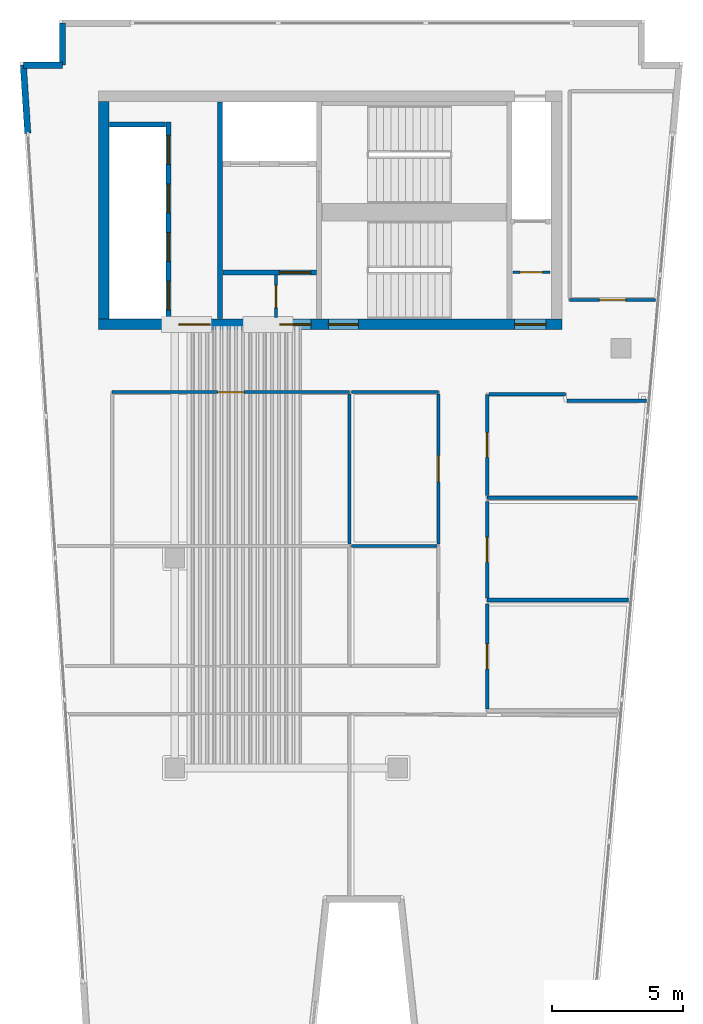
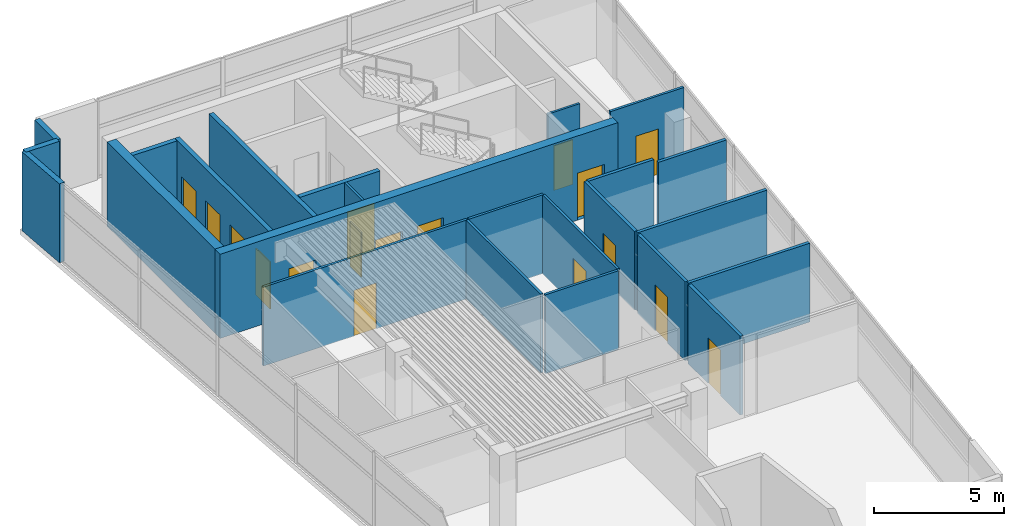
# One storey, part 4 of 7: 24 walls, 17 doors, 17 openings.
"""IFC4 building model written with IfcOpenShell, lengths in metres."""

from ifc_helpers import new_model, si_unit, direction, frame, frame_2d, origin, place, context, subcontext, project, spatial, rectangle, extrude, material, layer, layer_set, type_object, element, fill, save


model = new_model("IFC4")

# Units and contexts
model_context = context("Model", 3, precision=1e-05, world=origin(), true_north=direction((0.0, 1.0)))
body_context = subcontext(model_context, "Body", "Model", "MODEL_VIEW")
ifc_project = project(units=[si_unit("LENGTHUNIT", "METRE"), si_unit("AREAUNIT", "SQUARE_METRE"), si_unit("VOLUMEUNIT", "CUBIC_METRE"), si_unit("PLANEANGLEUNIT", "RADIAN"), si_unit("MASSUNIT", "GRAM", prefix="KILO")], contexts=[model_context])

# Site, building, storey
site_placement = place(None, origin())
site = spatial("IfcSite", under=ifc_project, at=site_placement, CompositionType="ELEMENT")
building_placement = place(site_placement, origin())
building = spatial("IfcBuilding", under=site, at=building_placement, Name="Caeloran Harvest Quay", CompositionType="ELEMENT")
storey_placement = place(building_placement, frame((0.0, 0.0, 315.949951171875)))
storey = spatial("IfcBuildingStorey", under=building, at=storey_placement, Name="L76", CompositionType="ELEMENT", Elevation=315.949951171875)

# Walls
ifc_material_1 = material(Name="Precast concrete C50/60", Category="concrete")
ifc_layer_1 = layer(ifc_material_1, 0.239990234375, Name="Precast concrete C50/60")
ifc_layer_set_1 = layer_set([ifc_layer_1], Name="Precast concrete C50/60")
wall_type_1 = type_object("IfcWallType", Name="ENV-WALL-EW-240", PredefinedType="STANDARD", material=ifc_layer_set_1)
wall_1_placement = place(storey_placement, frame((2.902099609375, 39.185546875, 0.0), z_axis=(0.0, 0.0, 1.0), x_axis=(-0.065166541347, 0.997874401861, 0.0)))
element("IfcWall", 1, at=wall_1_placement, inside=storey, type_object=wall_type_1, Name="L76 Exterior Facade Corner Pier Wall 3B", PredefinedType="STANDARD", context=body_context, shape_type="SweptSolid", body=[
    extrude(rectangle(XDim=2.60009765625, YDim=0.239990234375, at=frame_2d((1.300048828125, 0.0))), origin(), (0.0, 0.0, 1.0), 3.699951171875),
])
wall_2_placement = place(storey_placement, frame((2.732666015625, 41.780029296875, 0.0), z_axis=(0.0, 0.0, 1.0), x_axis=(1.0, 0.0, 0.0)))
element("IfcWall", 2, at=wall_2_placement, inside=storey, type_object=wall_type_1, Name="L76 Exterior Precast Concrete Facade Wall 4", PredefinedType="STANDARD", context=body_context, shape_type="SweptSolid", body=[
    extrude(rectangle(XDim=1.4873046875, YDim=0.239990234375, at=frame_2d((0.74365234375, 0.0))), origin(), (0.0, 0.0, 1.0), 3.699951171875),
])
wall_3_placement = place(storey_placement, frame((4.219970703125, 41.780029296875, 0.0), z_axis=(0.0, 0.0, 1.0), x_axis=(0.0, 1.0, 0.0)))
element("IfcWall", 3, at=wall_3_placement, inside=storey, type_object=wall_type_1, Name="L76 Exterior Precast Concrete Facade Wall 5", PredefinedType="STANDARD", context=body_context, shape_type="SweptSolid", body=[
    extrude(rectangle(XDim=1.599853515625, YDim=0.239990234375, at=frame_2d((0.7998046875, 0.0))), origin(), (0.0, 0.0, 1.0), 3.699951171875),
])

# Wall, opening, door
ifc_material_2 = material(Name="Fire-Resisting Gypsum Core Riser Partition", Category="gypsum")
ifc_layer_2 = layer(ifc_material_2, 0.10009765625, Name="Fire-Resisting Gypsum Core Riser Partition")
ifc_layer_set_2 = layer_set([ifc_layer_2], Name="Fire-Resisting Gypsum Core Riser Partition")
wall_type_2 = type_object("IfcWallType", Name="INT-WALL-PW-100", PredefinedType="PARTITIONING", material=ifc_layer_set_2)
wall_4_placement = place(storey_placement, frame((12.360107421875, 32.159912109375, 0.0), z_axis=(0.0, 0.0, 1.0), x_axis=(0.0, 1.0, 0.0)))
wall_4 = element("IfcWall", 4, at=wall_4_placement, inside=storey, type_object=wall_type_2, Name="L76 Core Store Partition Wall", PredefinedType="PARTITIONING", context=body_context, shape_type="SweptSolid", body=[
    extrude(rectangle(XDim=1.6201171875, YDim=0.10009765625, at=frame_2d((0.81005859375, 0.0))), origin(), (0.0, 0.0, 1.0), 3.699951171875),
])
opening_1_placement = place(wall_4_placement, frame((0.3798828125, 0.0, 0.0)))
opening_1 = element("IfcOpeningElement", 5, at=opening_1_placement, cuts=wall_4, Name="Opening SV-01", PredefinedType="OPENING", context=body_context, shape_type="SweptSolid", body=[
    extrude(rectangle(XDim=0.85009765625, YDim=2.10009765625, at=frame_2d((0.425048828125, 1.050048828125))), frame((0.0, 0.06005859375, 0.0), z_axis=(0.0, -1.0, 0.0), x_axis=(1.0, 0.0, 0.0)), (0.0, 0.0, 1.0), 0.1201171875),
])
ifc_material_3 = material(Name="Galvanized Painted Steel", Category="steel")
door_type_1 = type_object("IfcDoorType", Name="INTDOOR-SV-01", OperationType="NOTDEFINED", PredefinedType="DOOR", material=ifc_material_3)
door_1_placement = place(opening_1_placement, origin())
door_1 = element("IfcDoor", 6, at=door_1_placement, inside=storey, type_object=door_type_1, Name="L76 Core Service Room Access Door", OperationType="SINGLE_SWING_LEFT", OverallHeight=2.10009765625, OverallWidth=0.85009765625, PredefinedType="DOOR", context=body_context, shape_type="SweptSolid", body=[
    extrude(rectangle(XDim=0.85009765625, YDim=2.10009765625, at=frame_2d((0.425048828125, 1.050048828125))), frame((0.0, 0.02490234375, 0.0), z_axis=(0.0, -1.0, 0.0), x_axis=(1.0, 0.0, 0.0)), (0.0, 0.0, 1.0), 0.050048828125),
])
fill(opening_1, door_1)

wall_5_placement = place(storey_placement, frame((21.3798828125, 33.889892578125, 0.0), z_axis=(0.0, 0.0, 1.0), x_axis=(1.0, 0.0, 0.0)))
wall_5 = element("IfcWall", 7, at=wall_5_placement, inside=storey, type_object=wall_type_2, Name="L76 Cleaner Store Partition Wall", PredefinedType="PARTITIONING", context=body_context, shape_type="SweptSolid", body=[
    extrude(rectangle(XDim=1.420166015625, YDim=0.10009765625, at=frame_2d((0.7099609375, 0.0))), origin(), (0.0, 0.0, 1.0), 3.699951171875),
])
opening_2_placement = place(wall_5_placement, frame((0.280029296875, 0.0, 0.0)))
opening_2 = element("IfcOpeningElement", 8, at=opening_2_placement, cuts=wall_5, Name="Opening SV-01", PredefinedType="OPENING", context=body_context, shape_type="SweptSolid", body=[
    extrude(rectangle(XDim=0.85009765625, YDim=2.10009765625, at=frame_2d((0.425048828125, 1.050048828125))), frame((0.0, 0.06005859375, 0.0), z_axis=(0.0, -1.0, 0.0), x_axis=(1.0, 0.0, 0.0)), (0.0, 0.0, 1.0), 0.1201171875),
])
door_2_placement = place(opening_2_placement, origin())
door_2 = element("IfcDoor", 9, at=door_2_placement, inside=storey, type_object=door_type_1, Name="L76 Cleaner Supply Store Access Door", OperationType="SINGLE_SWING_RIGHT", OverallHeight=2.10009765625, OverallWidth=0.85009765625, PredefinedType="DOOR", context=body_context, shape_type="SweptSolid", body=[
    extrude(rectangle(XDim=0.85009765625, YDim=2.10009765625, at=frame_2d((0.425048828125, 1.050048828125))), frame((0.0, 0.02490234375, 0.0), z_axis=(0.0, -1.0, 0.0), x_axis=(1.0, 0.0, 0.0)), (0.0, 0.0, 1.0), 0.050048828125),
])
fill(opening_2, door_2)

ifc_material_4 = material(Name="Single-Stud Acoustic Gypsum Office Partition", Category="gypsum")
ifc_layer_3 = layer(ifc_material_4, 0.112060546875, Name="Single-Stud Acoustic Gypsum Office Partition")
ifc_layer_set_3 = layer_set([ifc_layer_3], Name="Single-Stud Acoustic Gypsum Office Partition")
wall_type_3 = type_object("IfcWallType", Name="INT-WALL-PW-112", PredefinedType="PARTITIONING", material=ifc_layer_set_3)
wall_6_placement = place(storey_placement, frame((26.812744140625, 32.840087890625, 0.0), z_axis=(0.0, 0.0, 1.0), x_axis=(-1.0, 0.0, 0.0)))
wall_6 = element("IfcWall", 10, at=wall_6_placement, inside=storey, type_object=wall_type_3, Name="L76 Bioinformatics and Crop Phenotyping Laboratory Partition Wall", PredefinedType="PARTITIONING", context=body_context, shape_type="SweptSolid", body=[
    extrude(rectangle(XDim=3.272705078125, YDim=0.112060546875, at=frame_2d((1.63623046875, 0.0))), origin(), (0.0, 0.0, 1.0), 3.699951171875),
])
opening_3_placement = place(wall_6_placement, frame((1.136474609375, 0.0, 0.0)))
opening_3 = element("IfcOpeningElement", 11, at=opening_3_placement, cuts=wall_6, Name="Opening ID-01", PredefinedType="OPENING", context=body_context, shape_type="SweptSolid", body=[
    extrude(rectangle(XDim=1.0, YDim=2.14990234375, at=frame_2d((0.5, 1.074951171875))), frame((0.0, 0.06591796875, 0.0), z_axis=(0.0, -1.0, 0.0), x_axis=(1.0, 0.0, 0.0)), (0.0, 0.0, 1.0), 0.132080078125),
])
ifc_material_5 = material(Name="FSC Solid-Core Ash Timber and Acoustic Seal", Category="wood")
door_type_2 = type_object("IfcDoorType", Name="INTDOOR-ID-01", OperationType="NOTDEFINED", PredefinedType="DOOR", material=ifc_material_5)
door_3_placement = place(opening_3_placement, origin())
door_3 = element("IfcDoor", 12, at=door_3_placement, inside=storey, type_object=door_type_2, Name="L76 Bioinformatics and Crop Phenotyping Laboratory Access Door", OperationType="SINGLE_SWING_RIGHT", OverallHeight=2.14990234375, OverallWidth=1.0, PredefinedType="DOOR", context=body_context, shape_type="SweptSolid", body=[
    extrude(rectangle(XDim=1.0, YDim=2.14990234375, at=frame_2d((0.5, 1.074951171875))), frame((0.0, 0.02490234375, 0.0), z_axis=(0.0, -1.0, 0.0), x_axis=(1.0, 0.0, 0.0)), (0.0, 0.0, 1.0), 0.050048828125),
])
fill(opening_3, door_3)

# Wall
wall_7_placement = place(storey_placement, frame((15.239990234375, 23.4599609375, 0.0), z_axis=(0.0, 0.0, 1.0), x_axis=(1.0, 0.0, 0.0)))
element("IfcWall", 13, at=wall_7_placement, inside=storey, type_object=wall_type_3, Name="Pinnacle Tasting Salon Lounge Partition Wall", PredefinedType="PARTITIONING", context=body_context, shape_type="SweptSolid", body=[
    extrude(rectangle(XDim=3.2490234375, YDim=0.112060546875, at=frame_2d((1.62451171875, 0.0))), origin(), (0.0, 0.0, 1.0), 3.699951171875),
])

# Wall, opening, door
wall_8_placement = place(storey_placement, frame((6.110107421875, 29.320068359375, 0.0), z_axis=(0.0, 0.0, 1.0), x_axis=(1.0, 0.0, 0.0)))
wall_8 = element("IfcWall", 14, at=wall_8_placement, inside=storey, type_object=wall_type_3, Name="Artisanal Tea Kitchen Partition Wall", PredefinedType="PARTITIONING", context=body_context, shape_type="SweptSolid", body=[
    extrude(rectangle(XDim=9.0498046875, YDim=0.112060546875, at=frame_2d((4.52490234375, 0.0))), origin(), (0.0, 0.0, 1.0), 3.699951171875),
])
opening_4_placement = place(wall_8_placement, frame((4.02490234375, 0.0, 0.0)))
opening_4 = element("IfcOpeningElement", 15, at=opening_4_placement, cuts=wall_8, Name="Opening ID-01", PredefinedType="OPENING", context=body_context, shape_type="SweptSolid", body=[
    extrude(rectangle(XDim=1.0, YDim=2.14990234375, at=frame_2d((0.5, 1.074951171875))), frame((0.0, 0.06591796875, 0.0), z_axis=(0.0, -1.0, 0.0), x_axis=(1.0, 0.0, 0.0)), (0.0, 0.0, 1.0), 0.132080078125),
])
door_4_placement = place(opening_4_placement, origin())
door_4 = element("IfcDoor", 16, at=door_4_placement, inside=storey, type_object=door_type_2, Name="Artisanal Tea Kitchen Access Door", OperationType="SINGLE_SWING_RIGHT", OverallHeight=2.14990234375, OverallWidth=1.0, PredefinedType="DOOR", context=body_context, shape_type="SweptSolid", body=[
    extrude(rectangle(XDim=1.0, YDim=2.14990234375, at=frame_2d((0.5, 1.074951171875))), frame((0.0, 0.02490234375, 0.0), z_axis=(0.0, -1.0, 0.0), x_axis=(1.0, 0.0, 0.0)), (0.0, 0.0, 1.0), 0.050048828125),
])
fill(opening_4, door_4)

# Walls
wall_9_placement = place(storey_placement, frame((15.159912109375, 29.259033203125, 0.0), z_axis=(0.0, 0.0, 1.0), x_axis=(0.0, -1.0, 0.0)))
element("IfcWall", 17, at=wall_9_placement, inside=storey, type_object=wall_type_3, Name="Artisanal Tea Kitchen Partition Wall", PredefinedType="PARTITIONING", context=body_context, shape_type="SweptSolid", body=[
    extrude(rectangle(XDim=5.718994140625, YDim=0.112060546875, at=frame_2d((2.859375, 0.0))), origin(), (0.0, 0.0, 1.0), 3.699951171875),
])
wall_10_placement = place(storey_placement, frame((15.239990234375, 29.320068359375, 0.0), z_axis=(0.0, 0.0, 1.0), x_axis=(1.0, 0.0, 0.0)))
element("IfcWall", 18, at=wall_10_placement, inside=storey, type_object=wall_type_3, Name="Curator Archive Laboratory Partition Wall", PredefinedType="PARTITIONING", context=body_context, shape_type="SweptSolid", body=[
    extrude(rectangle(XDim=3.31005859375, YDim=0.112060546875, at=frame_2d((1.655029296875, 0.0))), origin(), (0.0, 0.0, 1.0), 3.699951171875),
])

# Wall, opening, door
wall_11_placement = place(storey_placement, frame((18.550048828125, 29.259033203125, 0.0), z_axis=(0.0, 0.0, 1.0), x_axis=(0.0, -1.0, 0.0)))
wall_11 = element("IfcWall", 19, at=wall_11_placement, inside=storey, type_object=wall_type_3, Name="Curator Archive Laboratory Partition Wall", PredefinedType="PARTITIONING", context=body_context, shape_type="SweptSolid", body=[
    extrude(rectangle(XDim=5.718994140625, YDim=0.112060546875, at=frame_2d((2.859375, 0.0))), origin(), (0.0, 0.0, 1.0), 3.699951171875),
])
opening_5_placement = place(wall_11_placement, frame((2.359619140625, 0.0, 0.0)))
opening_5 = element("IfcOpeningElement", 20, at=opening_5_placement, cuts=wall_11, Name="Opening ID-01", PredefinedType="OPENING", context=body_context, shape_type="SweptSolid", body=[
    extrude(rectangle(XDim=1.0, YDim=2.14990234375, at=frame_2d((0.5, 1.074951171875))), frame((0.0, 0.06591796875, 0.0), z_axis=(0.0, -1.0, 0.0), x_axis=(1.0, 0.0, 0.0)), (0.0, 0.0, 1.0), 0.132080078125),
])
door_5_placement = place(opening_5_placement, origin())
door_5 = element("IfcDoor", 21, at=door_5_placement, inside=storey, type_object=door_type_2, Name="Curator Archive Laboratory Access Door", OperationType="SINGLE_SWING_LEFT", OverallHeight=2.14990234375, OverallWidth=1.0, PredefinedType="DOOR", context=body_context, shape_type="SweptSolid", body=[
    extrude(rectangle(XDim=1.0, YDim=2.14990234375, at=frame_2d((0.5, 1.074951171875))), frame((0.0, 0.02490234375, 0.0), z_axis=(0.0, -1.0, 0.0), x_axis=(1.0, 0.0, 0.0)), (0.0, 0.0, 1.0), 0.050048828125),
])
fill(opening_5, door_5)

# Walls
ifc_material_6 = material(Name="Moisture-Resistant Cement-Board Sanitary Partition", Category="gypsum")
ifc_layer_4 = layer(ifc_material_6, 0.139892578125, Name="Moisture-Resistant Cement-Board Sanitary Partition")
ifc_layer_set_4 = layer_set([ifc_layer_4], Name="Moisture-Resistant Cement-Board Sanitary Partition")
wall_type_4 = type_object("IfcWallType", Name="INT-WALL-PW-140", PredefinedType="PARTITIONING", material=ifc_layer_set_4)
wall_12_placement = place(storey_placement, frame((23.449951171875, 28.989990234375, 0.0), z_axis=(0.0, 0.0, 1.0), x_axis=(1.0, 0.0, 0.0)))
element("IfcWall", 22, at=wall_12_placement, inside=storey, type_object=wall_type_4, Name="L76 Male Washroom WC Partition Wall", PredefinedType="PARTITIONING", context=body_context, shape_type="SweptSolid", body=[
    extrude(rectangle(XDim=3.015625, YDim=0.139892578125, at=frame_2d((1.5078125, 0.0))), origin(), (0.0, 0.0, 1.0), 3.699951171875),
])
wall_13_placement = place(storey_placement, frame((26.1328125, 25.300048828125, 0.0), z_axis=(0.0, 0.0, 1.0), x_axis=(-1.0, 0.0, 0.0)))
element("IfcWall", 23, at=wall_13_placement, inside=storey, type_object=wall_type_4, Name="L76 Male Washroom WC Partition Wall", PredefinedType="PARTITIONING", context=body_context, shape_type="SweptSolid", body=[
    extrude(rectangle(XDim=5.73291015625, YDim=0.139892578125, at=frame_2d((2.866455078125, 0.0))), origin(), (0.0, 0.0, 1.0), 3.699951171875),
])

# Wall, opening, door
wall_14_placement = place(storey_placement, frame((20.39990234375, 25.375, 0.0), z_axis=(0.0, 0.0, 1.0), x_axis=(0.0, 1.0, 0.0)))
wall_14 = element("IfcWall", 24, at=wall_14_placement, inside=storey, type_object=wall_type_4, Name="L76 Male Washroom WC Partition Wall", PredefinedType="PARTITIONING", context=body_context, shape_type="SweptSolid", body=[
    extrude(rectangle(XDim=3.864990234375, YDim=0.139892578125, at=frame_2d((1.9326171875, 0.0))), origin(), (0.0, 0.0, 1.0), 3.699951171875),
])
opening_6_placement = place(wall_14_placement, frame((1.45751953125, 0.0, 0.0)))
opening_6 = element("IfcOpeningElement", 25, at=opening_6_placement, cuts=wall_14, Name="Opening WC-01", PredefinedType="OPENING", context=body_context, shape_type="SweptSolid", body=[
    extrude(rectangle(XDim=0.949951171875, YDim=2.14990234375, at=frame_2d((0.47509765625, 1.074951171875))), frame((0.0, 0.080078125, 0.0), z_axis=(0.0, -1.0, 0.0), x_axis=(1.0, 0.0, 0.0)), (0.0, 0.0, 1.0), 0.159912109375),
])
ifc_material_7 = material(Name="High-Pressure Laminate Moisture-Resistant Timber", Category="wood")
door_type_3 = type_object("IfcDoorType", Name="INTDOOR-WC-01", OperationType="NOTDEFINED", PredefinedType="DOOR", material=ifc_material_7)
door_6_placement = place(opening_6_placement, origin())
door_6 = element("IfcDoor", 26, at=door_6_placement, inside=storey, type_object=door_type_3, Name="L76 Male Washroom WC Access Door", OperationType="SINGLE_SWING_LEFT", OverallHeight=2.14990234375, OverallWidth=0.949951171875, PredefinedType="DOOR", context=body_context, shape_type="SweptSolid", body=[
    extrude(rectangle(XDim=0.949951171875, YDim=2.14990234375, at=frame_2d((0.47509765625, 1.074951171875))), frame((0.0, 0.02490234375, 0.0), z_axis=(0.0, -1.0, 0.0), x_axis=(1.0, 0.0, 0.0)), (0.0, 0.0, 1.0), 0.050048828125),
])
fill(opening_6, door_6)

# Walls
wall_15_placement = place(storey_placement, frame((20.47509765625, 29.239990234375, 0.0), z_axis=(0.0, 0.0, 1.0), x_axis=(1.0, 0.0, 0.0)))
element("IfcWall", 27, at=wall_15_placement, inside=storey, type_object=wall_type_4, Name="L76 Male Washroom WC Partition Wall", PredefinedType="PARTITIONING", context=body_context, shape_type="SweptSolid", body=[
    extrude(rectangle(XDim=2.914794921875, YDim=0.139892578125, at=frame_2d((1.45751953125, 0.0))), origin(), (0.0, 0.0, 1.0), 3.699951171875),
])
wall_16_placement = place(storey_placement, frame((25.781005859375, 21.39990234375, 0.0), z_axis=(0.0, 0.0, 1.0), x_axis=(-1.0, 0.0, 0.0)))
element("IfcWall", 28, at=wall_16_placement, inside=storey, type_object=wall_type_4, Name="L76 Female Washroom WC Partition Wall", PredefinedType="PARTITIONING", context=body_context, shape_type="SweptSolid", body=[
    extrude(rectangle(XDim=5.381103515625, YDim=0.139892578125, at=frame_2d((2.6904296875, 0.0))), origin(), (0.0, 0.0, 1.0), 3.699951171875),
])

# Wall, opening, door
wall_17_placement = place(storey_placement, frame((20.39990234375, 21.47509765625, 0.0), z_axis=(0.0, 0.0, 1.0), x_axis=(0.0, 1.0, 0.0)))
wall_17 = element("IfcWall", 29, at=wall_17_placement, inside=storey, type_object=wall_type_4, Name="L76 Female Washroom WC Partition Wall", PredefinedType="PARTITIONING", context=body_context, shape_type="SweptSolid", body=[
    extrude(rectangle(XDim=3.6748046875, YDim=0.139892578125, at=frame_2d((1.83740234375, 0.0))), origin(), (0.0, 0.0, 1.0), 3.699951171875),
])
opening_7_placement = place(wall_17_placement, frame((1.362548828125, 0.0, 0.0)))
opening_7 = element("IfcOpeningElement", 30, at=opening_7_placement, cuts=wall_17, Name="Opening WC-01", PredefinedType="OPENING", context=body_context, shape_type="SweptSolid", body=[
    extrude(rectangle(XDim=0.949951171875, YDim=2.14990234375, at=frame_2d((0.47509765625, 1.074951171875))), frame((0.0, 0.080078125, 0.0), z_axis=(0.0, -1.0, 0.0), x_axis=(1.0, 0.0, 0.0)), (0.0, 0.0, 1.0), 0.159912109375),
])
door_7_placement = place(opening_7_placement, origin())
door_7 = element("IfcDoor", 31, at=door_7_placement, inside=storey, type_object=door_type_3, Name="L76 Female Washroom WC Access Door", OperationType="SINGLE_SWING_RIGHT", OverallHeight=2.14990234375, OverallWidth=0.949951171875, PredefinedType="DOOR", context=body_context, shape_type="SweptSolid", body=[
    extrude(rectangle(XDim=0.949951171875, YDim=2.14990234375, at=frame_2d((0.47509765625, 1.074951171875))), frame((0.0, 0.02490234375, 0.0), z_axis=(0.0, -1.0, 0.0), x_axis=(1.0, 0.0, 0.0)), (0.0, 0.0, 1.0), 0.050048828125),
])
fill(opening_7, door_7)

wall_18_placement = place(storey_placement, frame((20.39990234375, 17.2548828125, 0.0), z_axis=(0.0, 0.0, 1.0), x_axis=(0.0, 1.0, 0.0)))
wall_18 = element("IfcWall", 32, at=wall_18_placement, inside=storey, type_object=wall_type_4, Name="L76 Accessible Unisex Washroom WC Partition Wall", PredefinedType="PARTITIONING", context=body_context, shape_type="SweptSolid", body=[
    extrude(rectangle(XDim=3.9951171875, YDim=0.139892578125, at=frame_2d((1.99755859375, 0.0))), origin(), (0.0, 0.0, 1.0), 3.699951171875),
])
opening_8_placement = place(wall_18_placement, frame((1.5224609375, 0.0, 0.0)))
opening_8 = element("IfcOpeningElement", 33, at=opening_8_placement, cuts=wall_18, Name="Opening WC-01", PredefinedType="OPENING", context=body_context, shape_type="SweptSolid", body=[
    extrude(rectangle(XDim=0.949951171875, YDim=2.14990234375, at=frame_2d((0.47509765625, 1.074951171875))), frame((0.0, 0.080078125, 0.0), z_axis=(0.0, -1.0, 0.0), x_axis=(1.0, 0.0, 0.0)), (0.0, 0.0, 1.0), 0.159912109375),
])
door_8_placement = place(opening_8_placement, origin())
door_8 = element("IfcDoor", 34, at=door_8_placement, inside=storey, type_object=door_type_3, Name="L76 Accessible Unisex Washroom WC Access Door", OperationType="SINGLE_SWING_LEFT", OverallHeight=2.14990234375, OverallWidth=0.949951171875, PredefinedType="DOOR", context=body_context, shape_type="SweptSolid", body=[
    extrude(rectangle(XDim=0.949951171875, YDim=2.14990234375, at=frame_2d((0.47509765625, 1.074951171875))), frame((0.0, 0.02490234375, 0.0), z_axis=(0.0, -1.0, 0.0), x_axis=(1.0, 0.0, 0.0)), (0.0, 0.0, 1.0), 0.050048828125),
])
fill(opening_8, door_8)

# Wall, openings, doors
ifc_material_8 = material(Name="Concrete C50/60", Category="concrete")
ifc_layer_5 = layer(ifc_material_8, 0.199951171875, Name="Concrete C50/60")
ifc_layer_set_5 = layer_set([ifc_layer_5], Name="Concrete C50/60")
wall_type_5 = type_object("IfcWallType", Name="INT-WALL-SW-200", PredefinedType="PARTITIONING", material=ifc_layer_set_5)
wall_19_placement = place(storey_placement, frame((8.260009765625, 32.1201171875, 0.0), z_axis=(0.0, 0.0, 1.0), x_axis=(0.0, 1.0, 0.0)))
wall_19 = element("IfcWall", 35, at=wall_19_placement, inside=storey, type_object=wall_type_5, Name="L76 Bank 3 Lift Shaft Wall", PredefinedType="PARTITIONING", context=body_context, shape_type="SweptSolid", body=[
    extrude(rectangle(XDim=7.5, YDim=0.199951171875, at=frame_2d((3.75, 0.0))), origin(), (0.0, 0.0, 1.0), 3.699951171875),
])
opening_9_placement = place(wall_19_placement, frame((0.330078125, 0.0, 0.0)))
opening_9 = element("IfcOpeningElement", 36, at=opening_9_placement, cuts=wall_19, Name="Opening LD-01", PredefinedType="OPENING", context=body_context, shape_type="SweptSolid", body=[
    extrude(rectangle(XDim=1.10009765625, YDim=2.199951171875, at=frame_2d((0.550048828125, 1.10009765625))), frame((0.0, 0.10986328125, 0.0), z_axis=(0.0, -1.0, 0.0), x_axis=(1.0, 0.0, 0.0)), (0.0, 0.0, 1.0), 0.219970703125),
])
opening_10_placement = place(wall_19_placement, frame((2.179931640625, 0.0, 0.0)))
opening_10 = element("IfcOpeningElement", 37, at=opening_10_placement, cuts=wall_19, Name="Opening LD-01", PredefinedType="OPENING", context=body_context, shape_type="SweptSolid", body=[
    extrude(rectangle(XDim=1.10009765625, YDim=2.199951171875, at=frame_2d((0.550048828125, 1.10009765625))), frame((0.0, 0.10986328125, 0.0), z_axis=(0.0, -1.0, 0.0), x_axis=(1.0, 0.0, 0.0)), (0.0, 0.0, 1.0), 0.219970703125),
])
opening_11_placement = place(wall_19_placement, frame((4.030029296875, 0.0, 0.0)))
opening_11 = element("IfcOpeningElement", 38, at=opening_11_placement, cuts=wall_19, Name="Opening LD-01", PredefinedType="OPENING", context=body_context, shape_type="SweptSolid", body=[
    extrude(rectangle(XDim=1.10009765625, YDim=2.199951171875, at=frame_2d((0.550048828125, 1.10009765625))), frame((0.0, 0.10986328125, 0.0), z_axis=(0.0, -1.0, 0.0), x_axis=(1.0, 0.0, 0.0)), (0.0, 0.0, 1.0), 0.219970703125),
])
opening_12_placement = place(wall_19_placement, frame((5.8798828125, 0.0, 0.0)))
opening_12 = element("IfcOpeningElement", 39, at=opening_12_placement, cuts=wall_19, Name="Opening LD-01", PredefinedType="OPENING", context=body_context, shape_type="SweptSolid", body=[
    extrude(rectangle(XDim=1.10009765625, YDim=2.199951171875, at=frame_2d((0.550048828125, 1.10009765625))), frame((0.0, 0.10986328125, 0.0), z_axis=(0.0, -1.0, 0.0), x_axis=(1.0, 0.0, 0.0)), (0.0, 0.0, 1.0), 0.219970703125),
])
ifc_material_9 = material(Name="Stainless Steel Grade 316", Category="steel")
door_type_4 = type_object("IfcDoorType", Name="INTDOOR-LD-01", OperationType="NOTDEFINED", PredefinedType="DOOR", material=ifc_material_9)
door_9_placement = place(opening_9_placement, origin())
door_9 = element("IfcDoor", 40, at=door_9_placement, inside=storey, type_object=door_type_4, Name="Lift P3-1 Sliding Landing Door (L76)", OperationType="DOUBLE_DOOR_SLIDING", OverallHeight=2.199951171875, OverallWidth=1.10009765625, PredefinedType="DOOR", context=body_context, shape_type="SweptSolid", body=[
    extrude(rectangle(XDim=1.10009765625, YDim=2.199951171875, at=frame_2d((0.550048828125, 1.10009765625))), frame((0.0, 0.02490234375, 0.0), z_axis=(0.0, -1.0, 0.0), x_axis=(1.0, 0.0, 0.0)), (0.0, 0.0, 1.0), 0.050048828125),
])
fill(opening_9, door_9)
door_10_placement = place(opening_10_placement, origin())
door_10 = element("IfcDoor", 41, at=door_10_placement, inside=storey, type_object=door_type_4, Name="Lift P3-2 Sliding Landing Door (L76)", OperationType="DOUBLE_DOOR_SLIDING", OverallHeight=2.199951171875, OverallWidth=1.10009765625, PredefinedType="DOOR", context=body_context, shape_type="SweptSolid", body=[
    extrude(rectangle(XDim=1.10009765625, YDim=2.199951171875, at=frame_2d((0.550048828125, 1.10009765625))), frame((0.0, 0.02490234375, 0.0), z_axis=(0.0, -1.0, 0.0), x_axis=(1.0, 0.0, 0.0)), (0.0, 0.0, 1.0), 0.050048828125),
])
fill(opening_10, door_10)
door_11_placement = place(opening_11_placement, origin())
door_11 = element("IfcDoor", 42, at=door_11_placement, inside=storey, type_object=door_type_4, Name="Lift P3-3 Sliding Landing Door (L76)", OperationType="DOUBLE_DOOR_SLIDING", OverallHeight=2.199951171875, OverallWidth=1.10009765625, PredefinedType="DOOR", context=body_context, shape_type="SweptSolid", body=[
    extrude(rectangle(XDim=1.10009765625, YDim=2.199951171875, at=frame_2d((0.550048828125, 1.10009765625))), frame((0.0, 0.02490234375, 0.0), z_axis=(0.0, -1.0, 0.0), x_axis=(1.0, 0.0, 0.0)), (0.0, 0.0, 1.0), 0.050048828125),
])
fill(opening_11, door_11)
door_12_placement = place(opening_12_placement, origin())
door_12 = element("IfcDoor", 43, at=door_12_placement, inside=storey, type_object=door_type_4, Name="Lift P3-4 Sliding Landing Door (L76)", OperationType="DOUBLE_DOOR_SLIDING", OverallHeight=2.199951171875, OverallWidth=1.10009765625, PredefinedType="DOOR", context=body_context, shape_type="SweptSolid", body=[
    extrude(rectangle(XDim=1.10009765625, YDim=2.199951171875, at=frame_2d((0.550048828125, 1.10009765625))), frame((0.0, 0.02490234375, 0.0), z_axis=(0.0, -1.0, 0.0), x_axis=(1.0, 0.0, 0.0)), (0.0, 0.0, 1.0), 0.050048828125),
])
fill(opening_12, door_12)

# Walls
wall_20_placement = place(storey_placement, frame((6.02001953125, 39.52001953125, 0.0), z_axis=(0.0, 0.0, 1.0), x_axis=(1.0, 0.0, 0.0)))
element("IfcWall", 44, at=wall_20_placement, inside=storey, type_object=wall_type_5, Name="L76 Bank 3 Lift Shaft North End Wall", PredefinedType="PARTITIONING", context=body_context, shape_type="SweptSolid", body=[
    extrude(rectangle(XDim=2.119873046875, YDim=0.199951171875, at=frame_2d((1.06005859375, 0.0))), origin(), (0.0, 0.0, 1.0), 3.699951171875),
])
wall_21_placement = place(storey_placement, frame((10.219970703125, 32.1201171875, 0.0), z_axis=(0.0, 0.0, 1.0), x_axis=(0.0, 1.0, 0.0)))
element("IfcWall", 45, at=wall_21_placement, inside=storey, type_object=wall_type_5, Name="L76 Core Lobby Compartment Wall", PredefinedType="PARTITIONING", context=body_context, shape_type="SweptSolid", body=[
    extrude(rectangle(XDim=8.259765625, YDim=0.199951171875, at=frame_2d((4.1298828125, 0.0))), origin(), (0.0, 0.0, 1.0), 3.699951171875),
])

# Wall, opening, door
wall_22_placement = place(storey_placement, frame((10.340087890625, 33.8798828125, 0.0), z_axis=(0.0, 0.0, 1.0), x_axis=(1.0, 0.0, 0.0)))
wall_22 = element("IfcWall", 46, at=wall_22_placement, inside=storey, type_object=wall_type_5, Name="L76 Firefighting Lift Lobby Enclosure Wall", PredefinedType="PARTITIONING", context=body_context, shape_type="SweptSolid", body=[
    extrude(rectangle(XDim=3.559814453125, YDim=0.199951171875, at=frame_2d((1.77978515625, 0.0))), origin(), (0.0, 0.0, 1.0), 3.699951171875),
])
opening_13_placement = place(wall_22_placement, frame((2.14990234375, 0.0, 0.0)))
opening_13 = element("IfcOpeningElement", 47, at=opening_13_placement, cuts=wall_22, Name="Opening FD-01", PredefinedType="OPENING", context=body_context, shape_type="SweptSolid", body=[
    extrude(rectangle(XDim=1.199951171875, YDim=2.199951171875, at=frame_2d((0.60009765625, 1.10009765625))), frame((0.0, 0.10986328125, 0.0), z_axis=(0.0, -1.0, 0.0), x_axis=(1.0, 0.0, 0.0)), (0.0, 0.0, 1.0), 0.219970703125),
])
ifc_material_10 = material(Name="Steel", Category="steel")
door_type_5 = type_object("IfcDoorType", Name="INTDOOR-FD-01", OperationType="NOTDEFINED", PredefinedType="DOOR", material=ifc_material_10)
door_13_placement = place(opening_13_placement, origin())
door_13 = element("IfcDoor", 48, at=door_13_placement, inside=storey, type_object=door_type_5, Name="L76 Firefighting Lift Lobby Smoke-Seal Fire Door", OperationType="SINGLE_SWING_LEFT", OverallHeight=2.199951171875, OverallWidth=1.199951171875, PredefinedType="DOOR", context=body_context, shape_type="SweptSolid", body=[
    extrude(rectangle(XDim=1.199951171875, YDim=2.199951171875, at=frame_2d((0.60009765625, 1.10009765625))), frame((0.0, 0.02490234375, 0.0), z_axis=(0.0, -1.0, 0.0), x_axis=(1.0, 0.0, 0.0)), (0.0, 0.0, 1.0), 0.050048828125),
])
fill(opening_13, door_13)

# Wall, openings, doors
ifc_material_11 = material(Name="Concrete C60/75", Category="concrete")
ifc_layer_6 = layer(ifc_material_11, 0.39990234375, Name="Concrete C60/75")
ifc_layer_set_6 = layer_set([ifc_layer_6], Name="Concrete C60/75")
wall_type_6 = type_object("IfcWallType", Name="STR-WALL-CW-400", PredefinedType="SHEAR", material=ifc_layer_set_6)
wall_23_placement = place(storey_placement, frame((5.60009765625, 31.89990234375, 0.0), z_axis=(0.0, 0.0, 1.0), x_axis=(1.0, 0.0, 0.0)))
wall_23 = element("IfcWall", 49, at=wall_23_placement, inside=storey, type_object=wall_type_6, Name="L76 Rear Core Shear Wall S", PredefinedType="SHEAR", context=body_context, shape_type="SweptSolid", body=[
    extrude(rectangle(XDim=17.64990234375, YDim=0.39990234375, at=frame_2d((8.824951171875, 0.0))), origin(), (0.0, 0.0, 1.0), 3.949951171875),
])
opening_14_placement = place(wall_23_placement, frame((3.050048828125, 0.0, 0.0)))
opening_14 = element("IfcOpeningElement", 50, at=opening_14_placement, cuts=wall_23, Name="Opening FD-01", PredefinedType="OPENING", context=body_context, shape_type="SweptSolid", body=[
    extrude(rectangle(XDim=1.199951171875, YDim=2.199951171875, at=frame_2d((0.60009765625, 1.10009765625))), frame((0.0, 0.2099609375, 0.0), z_axis=(0.0, -1.0, 0.0), x_axis=(1.0, 0.0, 0.0)), (0.0, 0.0, 1.0), 0.419921875),
])
opening_15_placement = place(wall_23_placement, frame((6.89990234375, 0.0, 0.0)))
opening_15 = element("IfcOpeningElement", 51, at=opening_15_placement, cuts=wall_23, Name="Opening FD-01", PredefinedType="OPENING", context=body_context, shape_type="SweptSolid", body=[
    extrude(rectangle(XDim=1.199951171875, YDim=2.199951171875, at=frame_2d((0.60009765625, 1.10009765625))), frame((0.0, 0.2099609375, 0.0), z_axis=(0.0, -1.0, 0.0), x_axis=(1.0, 0.0, 0.0)), (0.0, 0.0, 1.0), 0.419921875),
])
opening_16_placement = place(wall_23_placement, frame((8.75, 0.0, 0.0)))
opening_16 = element("IfcOpeningElement", 52, at=opening_16_placement, cuts=wall_23, Name="Opening SD-01", PredefinedType="OPENING", context=body_context, shape_type="SweptSolid", body=[
    extrude(rectangle(XDim=1.14990234375, YDim=2.199951171875, at=frame_2d((0.574951171875, 1.10009765625))), frame((0.0, 0.2099609375, 0.0), z_axis=(0.0, -1.0, 0.0), x_axis=(1.0, 0.0, 0.0)), (0.0, 0.0, 1.0), 0.419921875),
])
opening_17_placement = place(wall_23_placement, frame((15.85009765625, 0.0, 0.0)))
opening_17 = element("IfcOpeningElement", 53, at=opening_17_placement, cuts=wall_23, Name="Opening FD-01", PredefinedType="OPENING", context=body_context, shape_type="SweptSolid", body=[
    extrude(rectangle(XDim=1.199951171875, YDim=2.199951171875, at=frame_2d((0.60009765625, 1.10009765625))), frame((0.0, 0.2099609375, 0.0), z_axis=(0.0, -1.0, 0.0), x_axis=(1.0, 0.0, 0.0)), (0.0, 0.0, 1.0), 0.419921875),
])
door_14_placement = place(opening_14_placement, origin())
door_14 = element("IfcDoor", 54, at=door_14_placement, inside=storey, type_object=door_type_5, Name="L76 High-Rise Lift Lobby Fire Door", OperationType="SINGLE_SWING_LEFT", OverallHeight=2.199951171875, OverallWidth=1.199951171875, PredefinedType="DOOR", context=body_context, shape_type="SweptSolid", body=[
    extrude(rectangle(XDim=1.199951171875, YDim=2.199951171875, at=frame_2d((0.60009765625, 1.10009765625))), frame((0.0, 0.02490234375, 0.0), z_axis=(0.0, -1.0, 0.0), x_axis=(1.0, 0.0, 0.0)), (0.0, 0.0, 1.0), 0.050048828125),
])
fill(opening_14, door_14)
door_15_placement = place(opening_15_placement, origin())
door_15 = element("IfcDoor", 55, at=door_15_placement, inside=storey, type_object=door_type_5, Name="L76 Firefighting Lobby Vestibule Fire Door", OperationType="SINGLE_SWING_RIGHT", OverallHeight=2.199951171875, OverallWidth=1.199951171875, PredefinedType="DOOR", context=body_context, shape_type="SweptSolid", body=[
    extrude(rectangle(XDim=1.199951171875, YDim=2.199951171875, at=frame_2d((0.60009765625, 1.10009765625))), frame((0.0, 0.02490234375, 0.0), z_axis=(0.0, -1.0, 0.0), x_axis=(1.0, 0.0, 0.0)), (0.0, 0.0, 1.0), 0.050048828125),
])
fill(opening_15, door_15)
door_16_placement = place(opening_17_placement, origin())
door_16 = element("IfcDoor", 56, at=door_16_placement, inside=storey, type_object=door_type_5, Name="L76 Service Lift Lobby Fire Door", OperationType="SINGLE_SWING_RIGHT", OverallHeight=2.199951171875, OverallWidth=1.199951171875, PredefinedType="DOOR", context=body_context, shape_type="SweptSolid", body=[
    extrude(rectangle(XDim=1.199951171875, YDim=2.199951171875, at=frame_2d((0.60009765625, 1.10009765625))), frame((0.0, 0.02490234375, 0.0), z_axis=(0.0, -1.0, 0.0), x_axis=(1.0, 0.0, 0.0)), (0.0, 0.0, 1.0), 0.050048828125),
])
fill(opening_17, door_16)
door_type_6 = type_object("IfcDoorType", Name="INTDOOR-SD-01", OperationType="NOTDEFINED", PredefinedType="DOOR", material=ifc_material_10)
door_17_placement = place(opening_16_placement, origin())
door_17 = element("IfcDoor", 57, at=door_17_placement, inside=storey, type_object=door_type_6, Name="L76 Protected Stair ST-C2 Exit Door", OperationType="SINGLE_SWING_LEFT", OverallHeight=2.199951171875, OverallWidth=1.14990234375, PredefinedType="DOOR", context=body_context, shape_type="SweptSolid", body=[
    extrude(rectangle(XDim=1.14990234375, YDim=2.199951171875, at=frame_2d((0.574951171875, 1.10009765625))), frame((0.0, 0.02490234375, 0.0), z_axis=(0.0, -1.0, 0.0), x_axis=(1.0, 0.0, 0.0)), (0.0, 0.0, 1.0), 0.050048828125),
])
fill(opening_16, door_17)

# Wall
wall_24_placement = place(storey_placement, frame((5.800048828125, 32.10009765625, 0.0), z_axis=(0.0, 0.0, 1.0), x_axis=(0.0, 1.0, 0.0)))
element("IfcWall", 58, at=wall_24_placement, inside=storey, type_object=wall_type_6, Name="L76 Rear Core Shear Wall W", PredefinedType="SHEAR", context=body_context, shape_type="SweptSolid", body=[
    extrude(rectangle(XDim=8.2998046875, YDim=0.39990234375, at=frame_2d((4.14990234375, 0.0))), origin(), (0.0, 0.0, 1.0), 3.949951171875),
])

save(model, "model.ifc")
